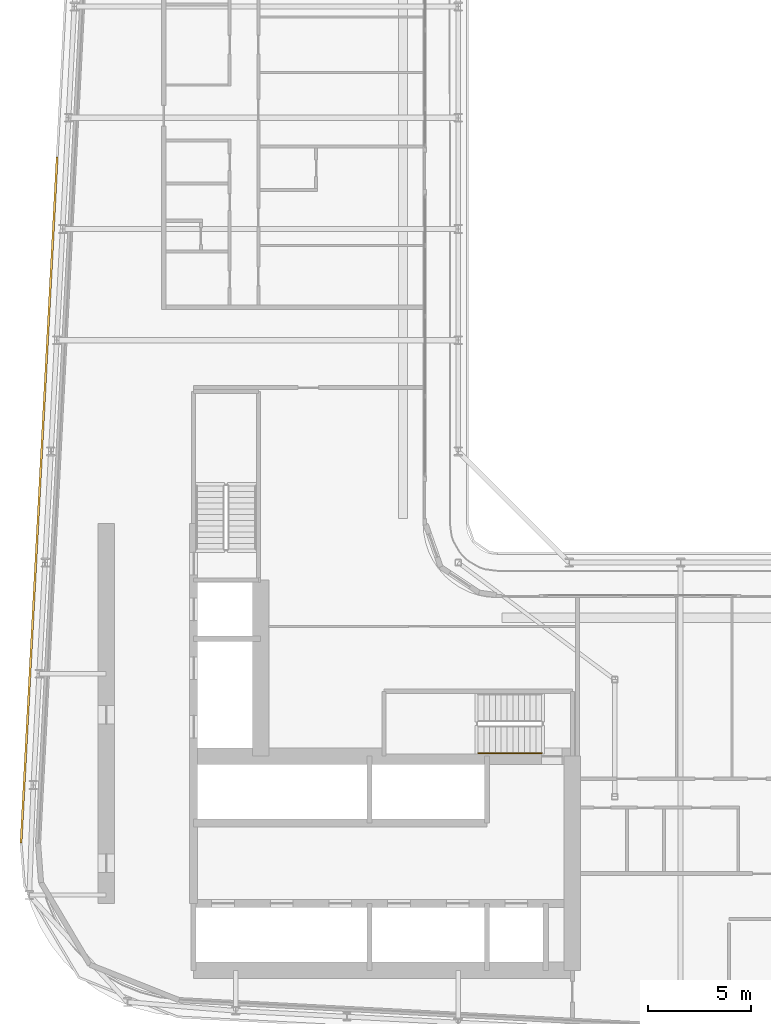
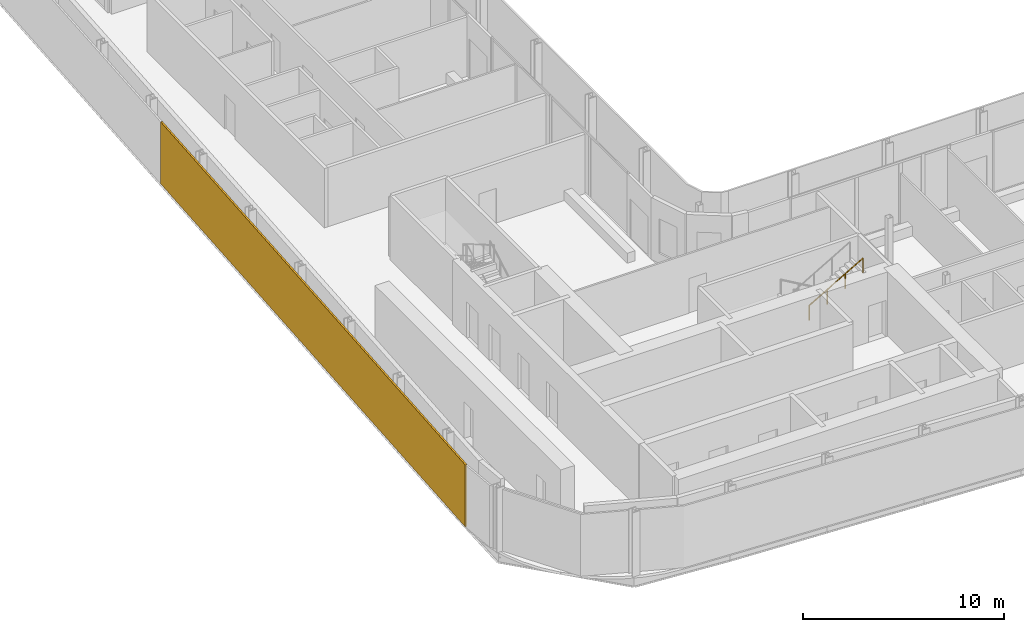
# One storey, part 22 of 28: 1 railing, 1 shading device.
"""IFC4 building model written with IfcOpenShell, lengths in metres."""

import ifcopenshell
import ifcopenshell.guid

model = None  # the IFC model being written
_history = None  # IfcOwnerHistory: only IFC2X3 demands one
_inside = {}  # id of a spatial element -> (the spatial element, [elements in it])
_under = {}  # id of a project, library or spatial element -> (it, [spatial elements below it])
_declared = {}  # id of a project -> (the project, [libraries it declares])
_typed = {}  # id of a type object -> (the type object, [elements of that type])
_made_of = {}  # id of a material, layer set ... -> (it, [elements and type objects made of it])


def new_model(schema):
    """Start an empty IFC model of exactly this schema.

    Asked for "IFC4X3", IfcOpenShell would pick the latest addendum, in which some entities
    have other attributes; the version numbers below select the first issue.
    IFC2X3 requires an IfcOwnerHistory on every rooted entity: one is made here for all.
    """
    global model, _history
    if schema == "IFC4X3":
        model = ifcopenshell.file(schema_version=(4, 3, 0, 0))
    else:
        model = ifcopenshell.file(schema=schema)
    _inside.clear()
    _under.clear()
    _declared.clear()
    _typed.clear()
    _made_of.clear()
    _history = None
    if model.schema == "IFC2X3":
        org = make("IfcOrganization", Name="unknown")
        user = make(
            "IfcPersonAndOrganization",
            ThePerson=make("IfcPerson", FamilyName="unknown"),
            TheOrganization=org,
        )
        app = make(
            "IfcApplication",
            ApplicationDeveloper=org,
            Version="unknown",
            ApplicationFullName="unknown",
            ApplicationIdentifier="unknown",
        )
        _history = make(
            "IfcOwnerHistory",
            OwningUser=user,
            OwningApplication=app,
            ChangeAction="ADDED",
            CreationDate=0,
        )
    return model


def make(cls, **values):
    """One entity of the class cls with the attributes given. An attribute that is None is left unset."""
    return model.create_entity(
        cls, **{name: value for name, value in values.items() if value is not None}
    )


def rooted(cls, **values):
    """An entity with a GlobalId (a new one), such as an element, a storey or a relation."""
    return make(cls, GlobalId=ifcopenshell.guid.new(), OwnerHistory=_history, **values)


def si_unit(unit_type, name, prefix=None):
    """IfcSIUnit, for example si_unit("LENGTHUNIT", "METRE", prefix="MILLI")."""
    return make("IfcSIUnit", UnitType=unit_type, Prefix=prefix, Name=name)


def assignment(units):
    """IfcUnitAssignment: the units of a project."""
    return None if units is None else make("IfcUnitAssignment", Units=units)


def point(xyz):
    """IfcCartesianPoint."""
    return None if xyz is None else make("IfcCartesianPoint", Coordinates=xyz)


def direction(xyz):
    """IfcDirection."""
    return None if xyz is None else make("IfcDirection", DirectionRatios=xyz)


def frame(location, z_axis=None, x_axis=None):
    """IfcAxis2Placement3D, a coordinate frame: its origin and axes. An axis left out is left unset."""
    return make(
        "IfcAxis2Placement3D",
        Location=point(location),
        Axis=direction(z_axis),
        RefDirection=direction(x_axis),
    )


def frame_2d(location, x_axis=None):
    """IfcAxis2Placement2D, a coordinate frame in the plane: its origin and x axis."""
    return make(
        "IfcAxis2Placement2D", Location=point(location), RefDirection=direction(x_axis)
    )


def origin():
    """The frame at (0, 0, 0) with its axes left unset."""
    return frame((0.0, 0.0, 0.0))


def origin_2d():
    """The frame at (0, 0) in the plane with its x axis left unset."""
    return frame_2d((0.0, 0.0))


def place(relative_to, where):
    """IfcLocalPlacement: puts the frame where relative to a parent placement (None: the world)."""
    return make(
        "IfcLocalPlacement", PlacementRelTo=relative_to, RelativePlacement=where
    )


def context(
    kind, dimensions, precision=None, world=None, true_north=None, identifier=None
):
    """IfcGeometricRepresentationContext, for example the 3D "Model" context."""
    return make(
        "IfcGeometricRepresentationContext",
        ContextIdentifier=identifier,
        ContextType=kind,
        CoordinateSpaceDimension=dimensions,
        Precision=precision,
        WorldCoordinateSystem=world,
        TrueNorth=true_north,
    )


def subcontext(parent, identifier, kind, view, scale=None):
    """IfcGeometricRepresentationSubContext, for example "Body" below "Model"."""
    return make(
        "IfcGeometricRepresentationSubContext",
        ContextIdentifier=identifier,
        ContextType=kind,
        ParentContext=parent,
        TargetScale=scale,
        TargetView=view,
    )


def project(units=None, contexts=None):
    """IfcProject with its units and contexts."""
    return rooted(
        "IfcProject",
        Name="project",
        RepresentationContexts=contexts,
        UnitsInContext=assignment(units),
    )


def spatial(cls, under=None, at=None, **own):
    """A site, building, storey or space (cls), placed at a placement, below another one or the project."""
    s = rooted(cls, ObjectPlacement=at, **own)
    if under is not None:
        _under.setdefault(under.id(), (under, []))[1].append(s)
    return s


def profile(cls, at=None, kind="AREA", **sizes):
    """A parametric profile (cls). Its sizes go by their IFC names, for example OverallWidth=200.0."""
    return make(cls, ProfileType=kind, Position=at, **sizes)


def rectangle(**sizes):
    """IfcRectangleProfileDef."""
    return profile("IfcRectangleProfileDef", **sizes)


def circle(**sizes):
    """IfcCircleProfileDef."""
    return profile("IfcCircleProfileDef", **sizes)


def extrude(swept, where, along, depth):
    """IfcExtrudedAreaSolid: the profile swept, set in the frame where, extruded along a direction by depth."""
    return make(
        "IfcExtrudedAreaSolid",
        SweptArea=swept,
        Position=where,
        ExtrudedDirection=direction(along),
        Depth=depth,
    )


def shape(context_of_items, identifier, shape_type, items):
    """IfcShapeRepresentation: the items that make up one representation, for example the "Body"."""
    return make(
        "IfcShapeRepresentation",
        ContextOfItems=context_of_items,
        RepresentationIdentifier=identifier,
        RepresentationType=shape_type,
        Items=items,
    )


def material(Name=None, Category=None):
    """IfcMaterial."""
    return make("IfcMaterial", Name=Name, Category=Category)


def layer(
    of_material, thickness, ventilated=None, Name=None, Category=None, Priority=None
):
    """IfcMaterialLayer: one layer of a wall or slab, of a material (None: an air gap)."""
    return make(
        "IfcMaterialLayer",
        Material=of_material,
        LayerThickness=thickness,
        IsVentilated=ventilated,
        Name=Name,
        Category=Category,
        Priority=Priority,
    )


def layer_set(layers, Name=None):
    """IfcMaterialLayerSet."""
    return make("IfcMaterialLayerSet", MaterialLayers=layers, LayerSetName=Name)


def made_of(thing, what):
    """Note that an element or type object is made of a material, layer set ...; save() writes the relation."""
    if what is not None:
        _made_of.setdefault(what.id(), (what, []))[1].append(thing)
    return thing


def type_object(cls, material=None, **own):
    """A type object (cls), such as IfcWallType, which elements share."""
    return made_of(rooted(cls, **own), material)


def element(
    cls,
    number,
    at=None,
    inside=None,
    cuts=None,
    type_object=None,
    material=None,
    context=None,
    identifier="Body",
    shape_type=None,
    held_by="IfcProductDefinitionShape",
    body=None,
    shapes=None,
    **own,
):
    """One element of the class cls, such as IfcWall. Its Tag is "e" and its number.

    at: its placement. inside: the storey or other place that contains it. cuts: it is an
    opening in that element (IfcRelVoidsElement). A single representation is given by context,
    identifier, shape_type and body (its items); several are given by shapes. held_by: the class
    of the entity that holds the representations. save() writes the other relations.
    """
    e = rooted(cls, Tag="e%d" % number, ObjectPlacement=at, **own)
    if body is not None:
        shapes = [shape(context, identifier, shape_type, body)]
    if shapes is not None:
        e.Representation = make(held_by, Representations=shapes)
    if inside is not None:
        _inside.setdefault(inside.id(), (inside, []))[1].append(e)
    if cuts is not None:
        rooted(
            "IfcRelVoidsElement", RelatingBuildingElement=cuts, RelatedOpeningElement=e
        )
    if type_object is not None:
        _typed.setdefault(type_object.id(), (type_object, []))[1].append(e)
    return made_of(e, material)


def aggregate(whole, parts):
    """IfcRelAggregates: a whole, such as a stair, and the parts it consists of."""
    return rooted("IfcRelAggregates", RelatingObject=whole, RelatedObjects=parts)


def save(model, path):
    """Write the relations noted so far, then the file.

    IfcRelAggregates (storeys below a building ...), IfcRelContainedInSpatialStructure (elements
    in a storey), IfcRelDefinesByType, IfcRelAssociatesMaterial and IfcRelDeclares: one each for
    every whole, place, type object, material and project.
    """
    for whole, parts in _under.values():
        aggregate(whole, parts)
    for where, things in _inside.values():
        rooted(
            "IfcRelContainedInSpatialStructure",
            RelatedElements=things,
            RelatingStructure=where,
        )
    for kind, things in _typed.values():
        rooted("IfcRelDefinesByType", RelatedObjects=things, RelatingType=kind)
    for what, things in _made_of.values():
        rooted("IfcRelAssociatesMaterial", RelatedObjects=things, RelatingMaterial=what)
    for by, libraries in _declared.values():
        rooted("IfcRelDeclares", RelatingContext=by, RelatedDefinitions=libraries)
    model.write(path)


model = new_model("IFC4")

# Units and contexts
model_context = context("Model", 3, precision=1e-05, world=origin(), true_north=direction((0.0, 1.0)))
body_context = subcontext(model_context, "Body", "Model", "MODEL_VIEW")
ifc_project = project(units=[si_unit("LENGTHUNIT", "METRE"), si_unit("AREAUNIT", "SQUARE_METRE"), si_unit("VOLUMEUNIT", "CUBIC_METRE"), si_unit("PLANEANGLEUNIT", "RADIAN"), si_unit("MASSUNIT", "GRAM", prefix="KILO")], contexts=[model_context])

# Site, building, storey
site_placement = place(None, origin())
site = spatial("IfcSite", under=ifc_project, at=site_placement, CompositionType="ELEMENT")
building_placement = place(site_placement, origin())
building = spatial("IfcBuilding", under=site, at=building_placement, Name="Kheshtan School and Residences Tower", CompositionType="ELEMENT")
storey_placement = place(building_placement, frame((0.0, 0.0, 191.60009765625)))
storey = spatial("IfcBuildingStorey", under=building, at=storey_placement, Name="L45", CompositionType="ELEMENT", Elevation=191.60009765625)

# Shading device
ifc_material_1 = material(Name="Terracotta baguette, extruded ceramic", Category="masonry")
ifc_layer = layer(ifc_material_1, 0.10009765625)
ifc_layer_set = layer_set([ifc_layer], Name="Ledge screen, terracotta baguettes")
shading_device_type = type_object("IfcShadingDeviceType", Name="Ledge screen, terracotta baguettes", PredefinedType="USERDEFINED", material=ifc_layer_set)
shading_device_placement = place(storey_placement, frame((27.24609375, 48.638916015625, 0.0), z_axis=(0.0, 0.0, 1.0), x_axis=(0.052562536748, 0.998617634398, 0.0)))
element("IfcShadingDevice", 1, at=shading_device_placement, inside=storey, type_object=shading_device_type, Name="Screen L45 4", ObjectType="BAGUETTE", PredefinedType="USERDEFINED", context=body_context, shape_type="SweptSolid", body=[
    extrude(rectangle(XDim=33.341064453125, YDim=0.10009765625, at=origin_2d()), origin(), (0.0, 0.0, 1.0), 3.75),
])

# Railing
ifc_material_2 = material(Name="Stainless steel handrail", Category="steel")
railing_type = type_object("IfcRailingType", Name="Stair handrail 900", PredefinedType="HANDRAIL", material=ifc_material_2)
railing_placement = place(storey_placement, frame((48.570068359375, 36.35009765625, 2.1123046875)))
element("IfcRailing", 2, at=railing_placement, inside=storey, type_object=railing_type, Name="L45 ST1 stair handrail 2", PredefinedType="HANDRAIL", context=body_context, shape_type="SweptSolid", body=[
    extrude(circle(Radius=0.02392578125, at=origin_2d()), frame((0.0, 0.0, 0.8759765625), z_axis=(0.864873446163, 0.0, 0.501989962173), x_axis=(0.0, 1.0, 0.0)), (0.0, 0.0, 1.0), 3.56103515625),
    extrude(circle(Radius=0.02099609375, at=origin_2d()), origin(), (0.0, 0.0, 1.0), 0.851806640625),
    extrude(circle(Radius=0.02099609375, at=origin_2d()), frame((1.026611328125, 0.0, 0.595947265625)), (0.0, 0.0, 1.0), 0.851806640625),
    extrude(circle(Radius=0.02099609375, at=origin_2d()), frame((2.05322265625, 0.0, 1.191650390625)), (0.0, 0.0, 1.0), 0.851806640625),
    extrude(circle(Radius=0.02099609375, at=origin_2d()), frame((3.079833984375, 0.0, 1.78759765625)), (0.0, 0.0, 1.0), 0.851806640625),
])

save(model, "model.ifc")
